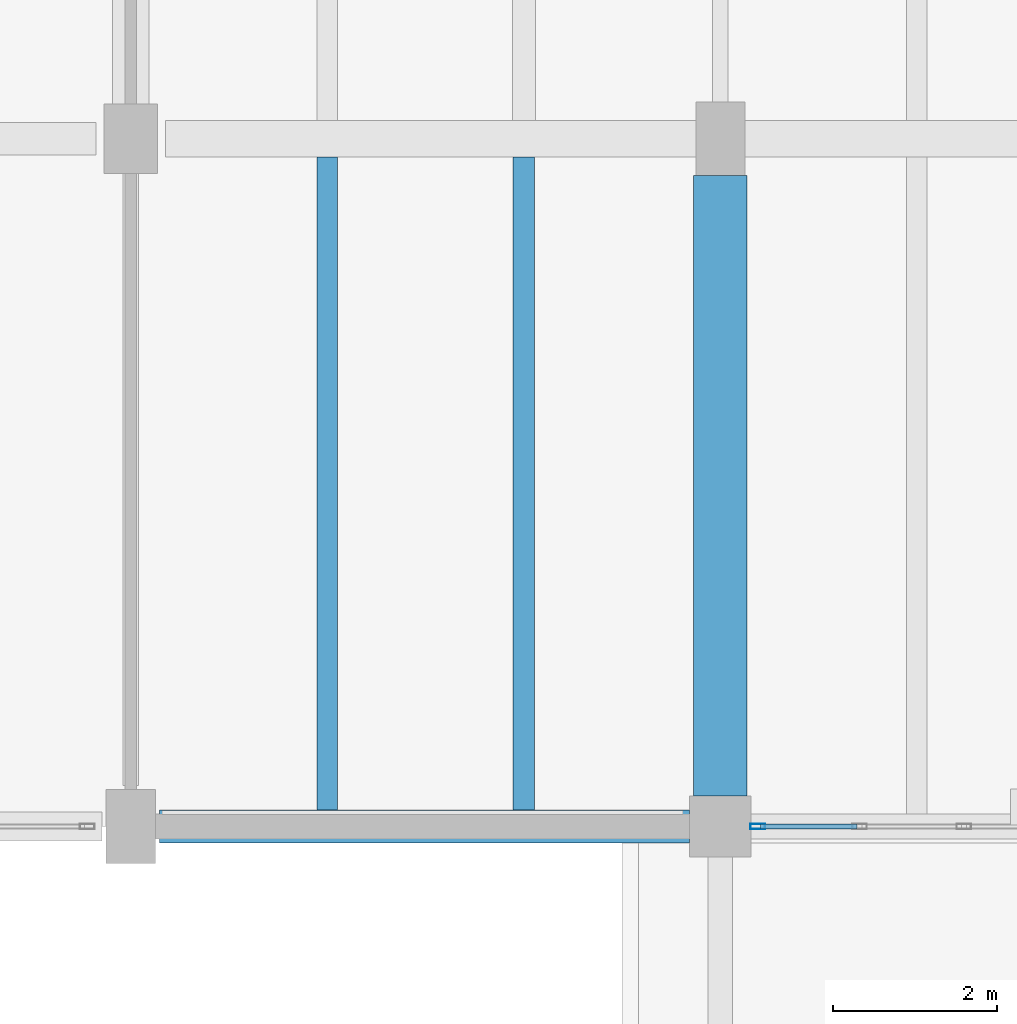
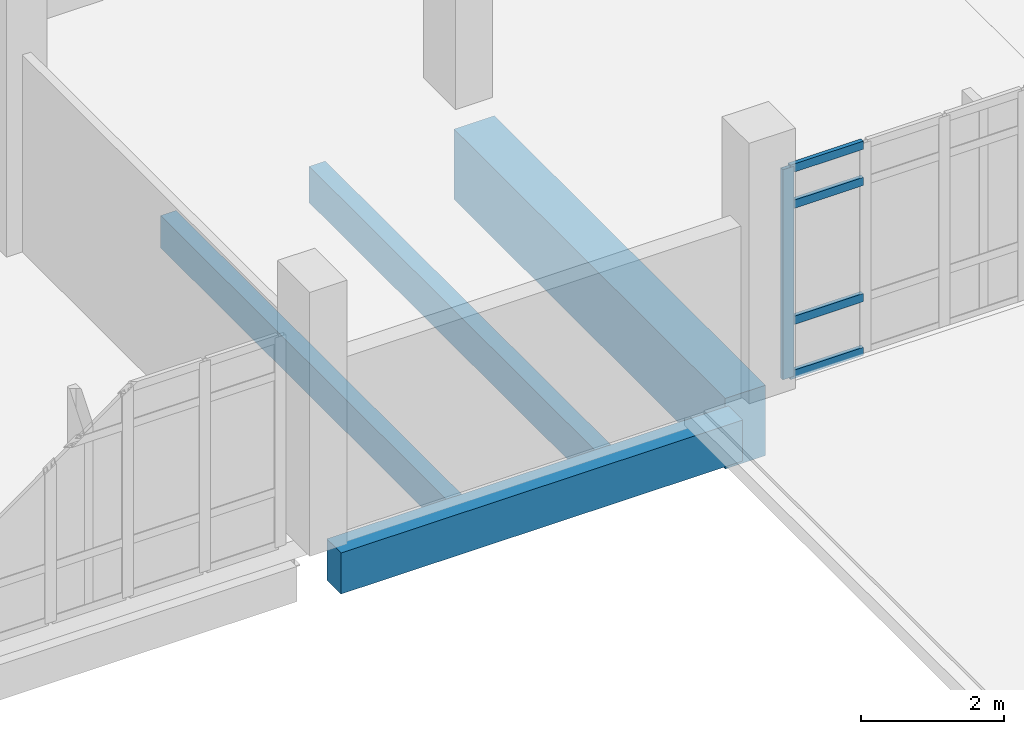
# One storey, part 67 of 134: 5 members, 4 beams, 1 element without a shape of its own.
"""IFC4 building model written with IfcOpenShell, lengths in metres."""

from ifc_helpers import new_model, si_unit, direction, frame, origin, origin_2d, place, context, subcontext, project, spatial, rectangle, hollow_rectangle, extrude, material, material_profile, profile_set, type_object, element, aggregate, save


model = new_model("IFC4")

# Units and contexts
model_context = context("Model", 3, precision=1e-05, world=origin(), true_north=direction((0.0, 1.0)))
body_context = subcontext(model_context, "Body", "Model", "MODEL_VIEW")
ifc_project = project(units=[si_unit("LENGTHUNIT", "METRE"), si_unit("AREAUNIT", "SQUARE_METRE"), si_unit("VOLUMEUNIT", "CUBIC_METRE"), si_unit("PLANEANGLEUNIT", "RADIAN"), si_unit("MASSUNIT", "GRAM", prefix="KILO")], contexts=[model_context])

# Site, building, storey
site_placement = place(None, origin())
site = spatial("IfcSite", under=ifc_project, at=site_placement, CompositionType="ELEMENT")
building_placement = place(site_placement, origin())
building = spatial("IfcBuilding", under=site, at=building_placement, Name="Kalluvel Institute of Natural Sciences", CompositionType="ELEMENT")
storey_placement = place(building_placement, frame((0.0, 0.0, 5.39990234375)))
storey = spatial("IfcBuildingStorey", under=building, at=storey_placement, Name="L01", CompositionType="ELEMENT", Elevation=5.39990234375)

# Beam
ifc_material_1 = material(Name="Concrete M50", Category="concrete")
ifc_material_profile_1 = material_profile(ifc_material_1, rectangle(XDim=0.64990234375, YDim=1.199951171875, at=origin_2d()), Name="RCB 650x1200")
ifc_profile_set_1 = profile_set([ifc_material_profile_1], Name="Concrete M50")
beam_type_1 = type_object("IfcBeamType", Name="BM-RC650x1200", PredefinedType="BEAM", material=ifc_profile_set_1)
beam_1_placement = place(storey_placement, frame((107.60009765625, 103.175048828125, -0.919921875), z_axis=(0.0, 1.0, 0.0), x_axis=(-1.0, 0.0, 0.0)))
element("IfcBeam", 1, at=beam_1_placement, inside=storey, type_object=beam_type_1, Name="L01 girder GIR-L01-NS-X1076-Y1028", PredefinedType="BEAM", context=body_context, shape_type="SweptSolid", body=[
    extrude(rectangle(XDim=0.64990234375, YDim=1.199951171875, at=origin_2d()), origin(), (0.0, 0.0, 1.0), 7.574951171875),
])

# Curtain wall, members
ifc_material_2 = material(Name="Aluminium AW-6063 T6", Category="aluminium")
curtain_wall_type = type_object("IfcCurtainWallType", Name="CW-WET-45", PredefinedType="USERDEFINED", material=ifc_material_2)
curtain_wall_placement = place(storey_placement, origin())
curtain_wall = element("IfcCurtainWall", 2, at=curtain_wall_placement, inside=storey, type_object=curtain_wall_type, Name="L01 Gothic lancet curtain wall CWA-L01-X1080-Y1028", ObjectType="UNITISED LANCET FACADE", PredefinedType="USERDEFINED")
ifc_material_profile_2 = material_profile(ifc_material_2, hollow_rectangle(XDim=0.06494140625, YDim=0.179931640625, WallThickness=0.00439453125, at=origin_2d()), Name="CWM 65x180")
ifc_profile_set_2 = profile_set([ifc_material_profile_2], Name="Aluminium AW-6063 T6")
member_type_1 = type_object("IfcMemberType", Name="CWM-65x180", PredefinedType="MULLION", material=ifc_profile_set_2)
member_1_placement = place(storey_placement, frame((108.0576171875, 102.800048828125, 0.0), z_axis=(0.0, 0.0, 1.0), x_axis=(0.0, 1.0, 0.0)))
member_1 = element("IfcMember", 3, at=member_1_placement, type_object=member_type_1, Name="CW-01 mullion 1", PredefinedType="MULLION", context=body_context, shape_type="SweptSolid", body=[
    extrude(hollow_rectangle(XDim=0.06494140625, YDim=0.179931640625, WallThickness=0.00439453125, at=origin_2d()), origin(), (0.0, 0.0, 1.0), 3.580078125),
])
ifc_material_profile_3 = material_profile(ifc_material_2, hollow_rectangle(XDim=0.06494140625, YDim=0.139892578125, WallThickness=0.00439453125, at=origin_2d()), Name="CWT 65x140")
ifc_profile_set_3 = profile_set([ifc_material_profile_3], Name="Aluminium AW-6063 T6")
member_type_2 = type_object("IfcMemberType", Name="CWT-65x140", PredefinedType="USERDEFINED", material=ifc_profile_set_3)
member_2_placement = place(storey_placement, frame((108.090087890625, 102.800048828125, 0.03271484375), z_axis=(1.0, 0.0, 0.0), x_axis=(0.0, 1.0, 0.0)))
member_2 = element("IfcMember", 4, at=member_2_placement, type_object=member_type_2, Name="CW-01 transom 1.1", ObjectType="TRANSOM", PredefinedType="USERDEFINED", context=body_context, shape_type="SweptSolid", body=[
    extrude(hollow_rectangle(XDim=0.06494140625, YDim=0.139892578125, WallThickness=0.00439453125, at=origin_2d()), origin(), (0.0, 0.0, 1.0), 1.177490234375),
])
member_3_placement = place(storey_placement, frame((108.090087890625, 102.800048828125, 0.9501953125), z_axis=(1.0, 0.0, 0.0), x_axis=(0.0, 1.0, 0.0)))
member_3 = element("IfcMember", 5, at=member_3_placement, type_object=member_type_2, Name="CW-01 transom 1.2", ObjectType="TRANSOM", PredefinedType="USERDEFINED", context=body_context, shape_type="SweptSolid", body=[
    extrude(hollow_rectangle(XDim=0.06494140625, YDim=0.139892578125, WallThickness=0.00439453125, at=origin_2d()), origin(), (0.0, 0.0, 1.0), 1.177490234375),
])
member_4_placement = place(storey_placement, frame((108.090087890625, 102.800048828125, 2.93017578125), z_axis=(1.0, 0.0, 0.0), x_axis=(0.0, 1.0, 0.0)))
member_4 = element("IfcMember", 6, at=member_4_placement, type_object=member_type_2, Name="CW-01 transom 1.3", ObjectType="TRANSOM", PredefinedType="USERDEFINED", context=body_context, shape_type="SweptSolid", body=[
    extrude(hollow_rectangle(XDim=0.06494140625, YDim=0.139892578125, WallThickness=0.00439453125, at=origin_2d()), origin(), (0.0, 0.0, 1.0), 1.177490234375),
])
member_5_placement = place(storey_placement, frame((108.090087890625, 102.800048828125, 3.547607421875), z_axis=(1.0, 0.0, 0.0), x_axis=(0.0, 1.0, 0.0)))
member_5 = element("IfcMember", 7, at=member_5_placement, type_object=member_type_2, Name="CW-01 transom 1.4", ObjectType="TRANSOM", PredefinedType="USERDEFINED", context=body_context, shape_type="SweptSolid", body=[
    extrude(hollow_rectangle(XDim=0.06494140625, YDim=0.139892578125, WallThickness=0.00439453125, at=origin_2d()), origin(), (0.0, 0.0, 1.0), 1.177490234375),
])
aggregate(curtain_wall, [member_1, member_2, member_3, member_4, member_5])

# Beams
ifc_material_3 = material(Name="Concrete M40", Category="concrete")
ifc_material_profile_4 = material_profile(ifc_material_3, rectangle(XDim=0.39990234375, YDim=0.699951171875, at=origin_2d()), Name="RCB 400x700")
ifc_profile_set_4 = profile_set([ifc_material_profile_4], Name="Concrete M40")
beam_type_2 = type_object("IfcBeamType", Name="SP-RC400x700", PredefinedType="SPANDREL", material=ifc_profile_set_4)
beam_2_placement = place(storey_placement, frame((100.75, 102.800048828125, -0.669921875), z_axis=(1.0, 0.0, 0.0), x_axis=(0.0, 1.0, 0.0)))
element("IfcBeam", 8, at=beam_2_placement, inside=storey, type_object=beam_type_2, Name="L01 girder GIR-L01-EW-X1004-Y1028", PredefinedType="SPANDREL", context=body_context, shape_type="SweptSolid", body=[
    extrude(rectangle(XDim=0.39990234375, YDim=0.699951171875, at=origin_2d()), origin(), (0.0, 0.0, 1.0), 6.47509765625),
])
ifc_material_profile_5 = material_profile(ifc_material_3, rectangle(XDim=0.25, YDim=0.550048828125, at=origin_2d()), Name="WAF 250x550")
ifc_profile_set_5 = profile_set([ifc_material_profile_5], Name="Concrete M40")
beam_type_3 = type_object("IfcBeamType", Name="WJ-250x550", PredefinedType="JOIST", material=ifc_profile_set_5)
beam_3_placement = place(storey_placement, frame((102.800048828125, 103.0, -0.594970703125), z_axis=(0.0, 1.0, 0.0), x_axis=(-1.0, 0.0, 0.0)))
element("IfcBeam", 9, at=beam_3_placement, inside=storey, type_object=beam_type_3, Name="L01 waffle joist RIB-L01-0131", PredefinedType="JOIST", context=body_context, shape_type="SweptSolid", body=[
    extrude(rectangle(XDim=0.25, YDim=0.550048828125, at=origin_2d()), origin(), (0.0, 0.0, 1.0), 7.97509765625),
])
ifc_material_profile_6 = material_profile(ifc_material_1, rectangle(XDim=0.260009765625, YDim=0.6201171875, at=origin_2d()), Name="WAF 260x620")
ifc_profile_set_6 = profile_set([ifc_material_profile_6], Name="Concrete M50")
beam_type_4 = type_object("IfcBeamType", Name="WJ-260x620", PredefinedType="JOIST", material=ifc_profile_set_6)
beam_4_placement = place(storey_placement, frame((105.199951171875, 103.0, -0.6298828125), z_axis=(0.0, 1.0, 0.0), x_axis=(-1.0, 0.0, 0.0)))
element("IfcBeam", 10, at=beam_4_placement, inside=storey, type_object=beam_type_4, Name="L01 waffle joist RIB-L01-0132", PredefinedType="JOIST", context=body_context, shape_type="SweptSolid", body=[
    extrude(rectangle(XDim=0.260009765625, YDim=0.6201171875, at=origin_2d()), origin(), (0.0, 0.0, 1.0), 7.97509765625),
])

save(model, "model.ifc")
